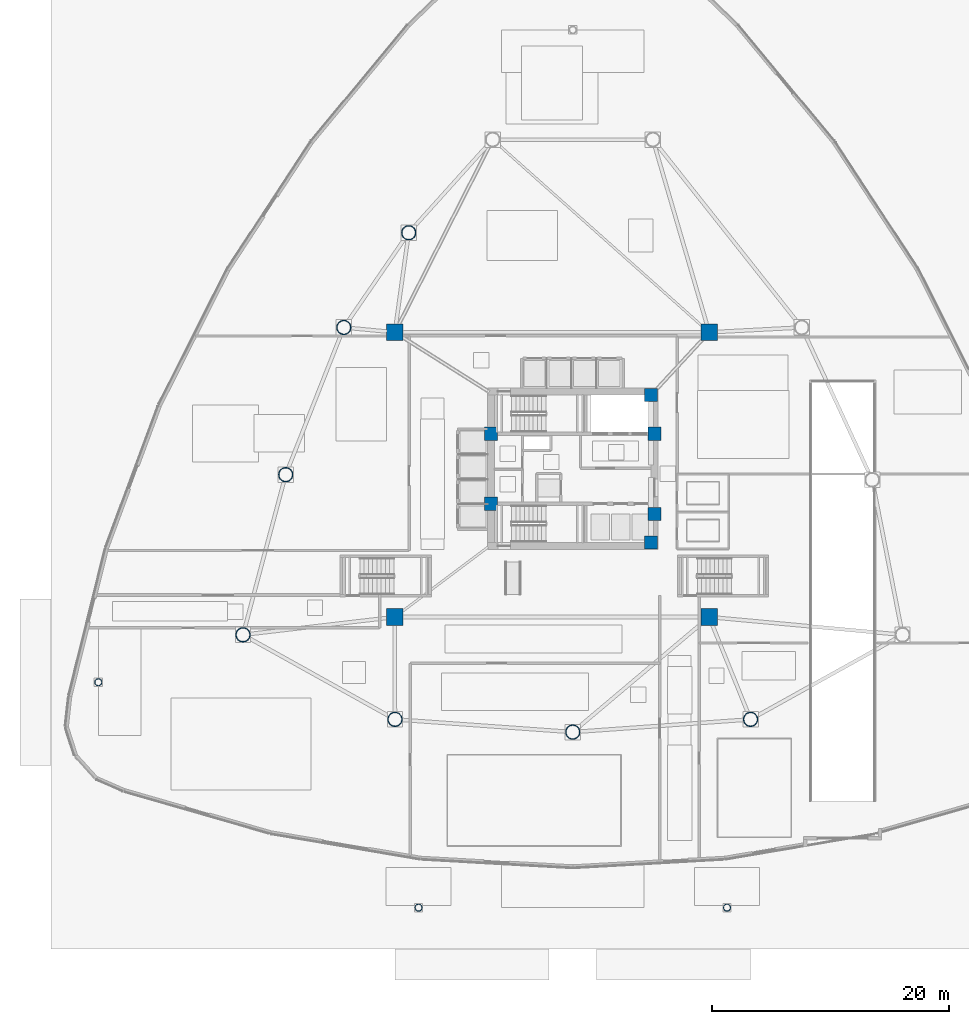
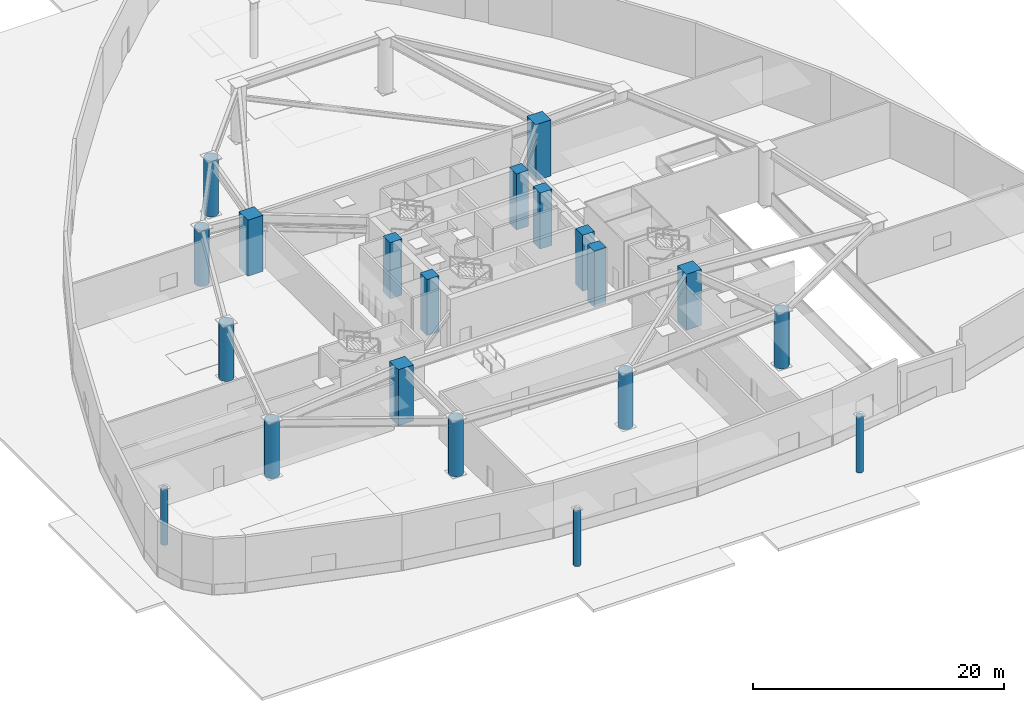
# One storey, part 1 of 13: 20 columns.
"""IFC4 building model written with IfcOpenShell, lengths in metres."""

from ifc_helpers import new_model, si_unit, direction, frame, origin, origin_2d, place, context, subcontext, project, spatial, rectangle, hollow_circle, extrude, material, material_profile, profile_set, type_object, element, save


model = new_model("IFC4")

# Units and contexts
model_context = context("Model", 3, precision=1e-05, world=origin(), true_north=direction((0.0, 1.0)))
body_context = subcontext(model_context, "Body", "Model", "MODEL_VIEW")
ifc_project = project(units=[si_unit("LENGTHUNIT", "METRE"), si_unit("AREAUNIT", "SQUARE_METRE"), si_unit("VOLUMEUNIT", "CUBIC_METRE"), si_unit("PLANEANGLEUNIT", "RADIAN"), si_unit("MASSUNIT", "GRAM", prefix="KILO")], contexts=[model_context])

# Site, building, storey
site_placement = place(None, origin())
site = spatial("IfcSite", under=ifc_project, at=site_placement, CompositionType="ELEMENT")
building_placement = place(site_placement, origin())
building = spatial("IfcBuilding", under=site, at=building_placement, Name="Tavelor Broadcast Tower", CompositionType="ELEMENT")
storey_placement = place(building_placement, origin())
storey = spatial("IfcBuildingStorey", under=building, at=storey_placement, Name="L00", CompositionType="ELEMENT", Elevation=0.0)

# Columns
ifc_material_1 = material(Name="Concrete C60/75", Category="concrete")
ifc_material_profile_1 = material_profile(ifc_material_1, rectangle(XDim=1.10009765625, YDim=1.10009765625, at=origin_2d()), Name="RC 1100x1100")
ifc_profile_set_1 = profile_set([ifc_material_profile_1], Name="Concrete C60/75")
column_type_1 = type_object("IfcColumnType", Name="Core Embedded Composite Column RC1100", PredefinedType="COLUMN", material=ifc_profile_set_1)
for number, where, z_axis, x_axis, name in (
    (1, (43.10009765625, 47.949951171875, 0.0), (0.0, 0.0, 1.0), (1.0, 0.0, 0.0), "L00 Core Embedded Column 1"),
    (2, (56.89990234375, 47.949951171875, 0.0), (0.0, 0.0, 1.0), (1.0, 0.0, 0.0), "L00 Core Embedded Column 2"),
    (3, (56.60009765625, 51.199951171875, 0.0), (0.0, 0.0, 1.0), (1.0, 0.0, 0.0), "L00 Core Embedded Column 3"),
    (4, (43.10009765625, 42.050048828125, 0.0), (0.0, 0.0, 1.0), (1.0, 0.0, 0.0), "L00 Core Embedded Column 4"),
    (5, (56.89990234375, 41.199951171875, 0.0), (0.0, 0.0, 1.0), (1.0, 0.0, 0.0), "L00 Core Embedded Column 5"),
    (6, (56.60009765625, 38.800048828125, 0.0), (0.0, 0.0, 1.0), (1.0, 0.0, 0.0), "L00 Core Embedded Column 6"),
):
    element("IfcColumn", number, at=place(storey_placement, frame(where, z_axis=z_axis, x_axis=x_axis)), inside=storey, type_object=column_type_1, Name=name, PredefinedType="COLUMN", context=body_context, shape_type="SweptSolid", body=[
        extrude(rectangle(XDim=1.10009765625, YDim=1.10009765625, at=origin_2d()), origin(), (0.0, 0.0, 1.0), 5.449951171875),
    ])
ifc_material_2 = material(Name="Steel S355", Category="steel")
ifc_material_profile_2 = material_profile(ifc_material_2, hollow_circle(Radius=0.304931640625, WallThickness=0.028076171875, at=origin_2d()), Name="CHS 610x28")
ifc_profile_set_2 = profile_set([ifc_material_profile_2], Name="Steel S355")
column_type_2 = type_object("IfcColumnType", Name="Plaza Canopy Mega Column CHS610", PredefinedType="COLUMN", material=ifc_profile_set_2)
for number, where, z_axis, x_axis, name in (
    (7, (10.0, 27.0, 0.0), (0.0, 0.0, 1.0), (1.0, 0.0, 0.0), "L00 Entrance Portal Mega Column 2"),
    (8, (37.0, 8.0, 0.0), (0.0, 0.0, 1.0), (1.0, 0.0, 0.0), "L00 Entrance Portal Mega Column 4"),
    (9, (63.0, 8.0, 0.0), (0.0, 0.0, 1.0), (1.0, 0.0, 0.0), "L00 Entrance Portal Mega Column 5"),
):
    element("IfcColumn", number, at=place(storey_placement, frame(where, z_axis=z_axis, x_axis=x_axis)), inside=storey, type_object=column_type_2, Name=name, PredefinedType="COLUMN", context=body_context, shape_type="SweptSolid", body=[
        extrude(hollow_circle(Radius=0.304931640625, WallThickness=0.028076171875, at=origin_2d()), origin(), (0.0, 0.0, 1.0), 5.449951171875),
    ])
ifc_material_profile_3 = material_profile(ifc_material_1, rectangle(XDim=1.39990234375, YDim=1.39990234375, at=origin_2d()), Name="RC 1400x1400")
ifc_profile_set_3 = profile_set([ifc_material_profile_3], Name="Concrete C60/75")
column_type_3 = type_object("IfcColumnType", Name="Podium Composite Mega Column RC1400", PredefinedType="COLUMN", material=ifc_profile_set_3)
for number, where, z_axis, x_axis, name in (
    (10, (35.0, 32.5, 0.0), (0.0, 0.0, 1.0), (1.0, 0.0, 0.0), "L00 Studio Inner Mega Column 1"),
    (11, (61.5, 32.5, 0.0), (0.0, 0.0, 1.0), (1.0, 0.0, 0.0), "L00 Studio Inner Mega Column 2"),
    (12, (61.5, 56.5, 0.0), (0.0, 0.0, 1.0), (1.0, 0.0, 0.0), "L00 Studio Inner Mega Column 3"),
    (13, (35.0, 56.5, 0.0), (0.0, 0.0, 1.0), (1.0, 0.0, 0.0), "L00 Studio Inner Mega Column 4"),
):
    element("IfcColumn", number, at=place(storey_placement, frame(where, z_axis=z_axis, x_axis=x_axis)), inside=storey, type_object=column_type_3, Name=name, PredefinedType="COLUMN", context=body_context, shape_type="SweptSolid", body=[
        extrude(rectangle(XDim=1.39990234375, YDim=1.39990234375, at=origin_2d()), origin(), (0.0, 0.0, 1.0), 5.449951171875),
    ])
ifc_material_3 = material(Name="Steel S460", Category="steel")
ifc_material_profile_4 = material_profile(ifc_material_3, hollow_circle(Radius=0.609619140625, WallThickness=0.050048828125, at=origin_2d()), Name="CHS 1219x50")
ifc_profile_set_4 = profile_set([ifc_material_profile_4], Name="Steel S460")
column_type_4 = type_object("IfcColumnType", Name="Podium Perimeter Mega Column CHS1219", PredefinedType="COLUMN", material=ifc_profile_set_4)
for number, where, z_axis, x_axis, name in (
    (14, (36.170166015625, 64.893310546875, 0.0), (0.0, 0.0, 1.0), (1.0, 0.0, 0.0), "L00 Podium Perimeter Mega Column 2"),
    (15, (30.69921875, 56.9111328125, 0.0), (0.0, 0.0, 1.0), (1.0, 0.0, 0.0), "L00 Podium Perimeter Mega Column 3"),
    (16, (25.800048828125, 44.5, 0.0), (0.0, 0.0, 1.0), (1.0, 0.0, 0.0), "L00 Podium Perimeter Mega Column 4"),
    (17, (22.199951171875, 31.0, 0.0), (0.0, 0.0, 1.0), (1.0, 0.0, 0.0), "L00 Podium Perimeter Mega Column 5"),
    (18, (35.01220703125, 23.87109375, 0.0), (0.0, 0.0, 1.0), (1.0, 0.0, 0.0), "L00 Podium Perimeter Mega Column 6"),
    (19, (50.0, 22.800048828125, 0.0), (0.0, 0.0, 1.0), (1.0, 0.0, 0.0), "L00 Podium Perimeter Mega Column 7"),
    (20, (64.98779296875, 23.87109375, 0.0), (0.0, 0.0, 1.0), (1.0, 0.0, 0.0), "L00 Podium Perimeter Mega Column 8"),
):
    element("IfcColumn", number, at=place(storey_placement, frame(where, z_axis=z_axis, x_axis=x_axis)), inside=storey, type_object=column_type_4, Name=name, PredefinedType="COLUMN", context=body_context, shape_type="SweptSolid", body=[
        extrude(hollow_circle(Radius=0.609619140625, WallThickness=0.050048828125, at=origin_2d()), origin(), (0.0, 0.0, 1.0), 5.449951171875),
    ])

save(model, "model.ifc")
